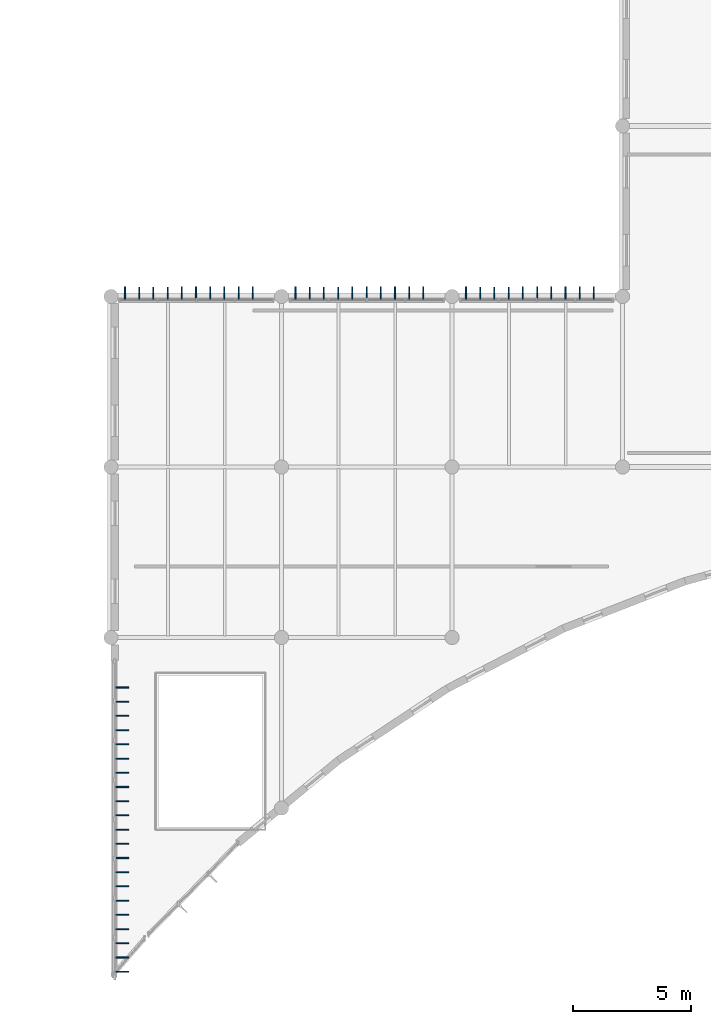
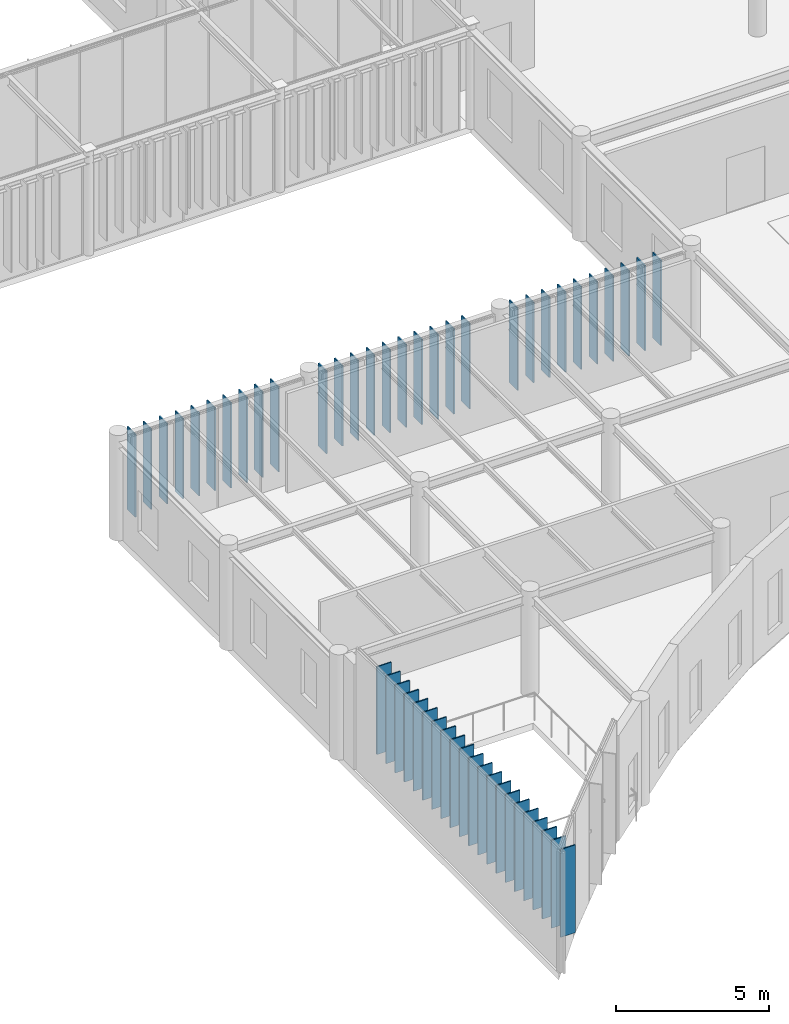
# One storey, part 17 of 104: 51 plates.
"""IFC4 building model written with IfcOpenShell, lengths in metres."""

from ifc_helpers import new_model, si_unit, direction, frame, origin, origin_2d, place, context, subcontext, project, spatial, rectangle, extrude, material, layer, layer_set, type_object, element, save


model = new_model("IFC4")

# Units and contexts
model_context = context("Model", 3, precision=1e-05, world=origin(), true_north=direction((0.0, 1.0)))
body_context = subcontext(model_context, "Body", "Model", "MODEL_VIEW")
ifc_project = project(units=[si_unit("LENGTHUNIT", "METRE"), si_unit("AREAUNIT", "SQUARE_METRE"), si_unit("VOLUMEUNIT", "CUBIC_METRE"), si_unit("PLANEANGLEUNIT", "RADIAN"), si_unit("MASSUNIT", "GRAM", prefix="KILO")], contexts=[model_context])

# Site, building, storey
site_placement = place(None, origin())
site = spatial("IfcSite", under=ifc_project, at=site_placement, CompositionType="ELEMENT")
building_placement = place(site_placement, origin())
building = spatial("IfcBuilding", under=site, at=building_placement, Name="Tazoul Stagehouse", CompositionType="ELEMENT")
storey_placement = place(building_placement, frame((0.0, 0.0, 9.0)))
storey = spatial("IfcBuildingStorey", under=building, at=storey_placement, Name="L02", CompositionType="ELEMENT", Elevation=9.0)

# Plates
ifc_material = material(Name="Anodised Bronze Aluminium 6063-T6", Category="aluminium")
ifc_layer_1 = layer(ifc_material, 0.52001953125, Name="Anodised Bronze Aluminium 6063-T6")
ifc_layer_set_1 = layer_set([ifc_layer_1], Name="Anodised Bronze Aluminium 6063-T6")
plate_type_1 = type_object("IfcPlateType", Name="Parametric Terracotta-Bronze Solar Fin 520x3200", PredefinedType="USERDEFINED", material=ifc_layer_set_1)
for number, where, z_axis, x_axis, name in (
    (1, (37.18994140625, 30.340087890625, 0.7099609375), (0.0, 0.0, 1.0), (1.0, 0.0, 0.0), "L02 Parametric Solar Fin SFN-18 (CW-V5-NRET-W-L02-B1-02)"),
    (2, (37.7900390625, 30.340087890625, 0.7099609375), (0.0, 0.0, 1.0), (1.0, 0.0, 0.0), "L02 Parametric Solar Fin SFN-18 (CW-V5-NRET-W-L02-B1-03)"),
    (3, (38.389892578125, 30.340087890625, 0.7099609375), (0.0, 0.0, 1.0), (1.0, 0.0, 0.0), "L02 Parametric Solar Fin SFN-18 (CW-V5-NRET-W-L02-B1-04)"),
    (4, (44.389892578125, 30.340087890625, 0.7099609375), (0.0, 0.0, 1.0), (1.0, 0.0, 0.0), "L02 Parametric Solar Fin SFN-18 (CW-V5-NRET-W-L02-B2-02)"),
    (5, (44.989990234375, 30.340087890625, 0.7099609375), (0.0, 0.0, 1.0), (1.0, 0.0, 0.0), "L02 Parametric Solar Fin SFN-18 (CW-V5-NRET-W-L02-B2-03)"),
    (6, (45.590087890625, 30.340087890625, 0.7099609375), (0.0, 0.0, 1.0), (1.0, 0.0, 0.0), "L02 Parametric Solar Fin SFN-18 (CW-V5-NRET-W-L02-B2-04)"),
    (7, (51.590087890625, 30.340087890625, 0.7099609375), (0.0, 0.0, 1.0), (1.0, 0.0, 0.0), "L02 Parametric Solar Fin SFN-18 (CW-V5-NRET-W-L02-B3-02)"),
    (8, (52.18994140625, 30.340087890625, 0.7099609375), (0.0, 0.0, 1.0), (1.0, 0.0, 0.0), "L02 Parametric Solar Fin SFN-18 (CW-V5-NRET-W-L02-B3-03)"),
    (9, (52.7900390625, 30.340087890625, 0.7099609375), (0.0, 0.0, 1.0), (1.0, 0.0, 0.0), "L02 Parametric Solar Fin SFN-18 (CW-V5-NRET-W-L02-B3-04)"),
):
    element("IfcPlate", number, at=place(storey_placement, frame(where, z_axis=z_axis, x_axis=x_axis)), inside=storey, type_object=plate_type_1, Name=name, ObjectType="SOLAR FIN", PredefinedType="USERDEFINED", context=body_context, shape_type="SweptSolid", body=[
        extrude(rectangle(XDim=0.044921875, YDim=0.52001953125, at=origin_2d()), origin(), (0.0, 0.0, 1.0), 3.199951171875),
    ])
ifc_layer_2 = layer(ifc_material, 0.530029296875, Name="Anodised Bronze Aluminium 6063-T6")
ifc_layer_set_2 = layer_set([ifc_layer_2], Name="Anodised Bronze Aluminium 6063-T6")
plate_type_2 = type_object("IfcPlateType", Name="Parametric Terracotta-Bronze Solar Fin 530x3300", PredefinedType="USERDEFINED", material=ifc_layer_set_2)
for number, where, z_axis, x_axis, name in (
    (10, (36.590087890625, 30.344970703125, 0.60986328125), (0.0, 0.0, 1.0), (1.0, 0.0, 0.0), "L02 Parametric Solar Fin SFN-19 (CW-V5-NRET-W-L02-B1-01)"),
    (11, (38.989990234375, 30.344970703125, 0.60986328125), (0.0, 0.0, 1.0), (1.0, 0.0, 0.0), "L02 Parametric Solar Fin SFN-19 (CW-V5-NRET-W-L02-B1-05)"),
    (12, (39.590087890625, 30.344970703125, 0.60986328125), (0.0, 0.0, 1.0), (1.0, 0.0, 0.0), "L02 Parametric Solar Fin SFN-19 (CW-V5-NRET-W-L02-B1-06)"),
    (13, (43.7900390625, 30.344970703125, 0.60986328125), (0.0, 0.0, 1.0), (1.0, 0.0, 0.0), "L02 Parametric Solar Fin SFN-19 (CW-V5-NRET-W-L02-B2-01)"),
    (14, (46.18994140625, 30.344970703125, 0.60986328125), (0.0, 0.0, 1.0), (1.0, 0.0, 0.0), "L02 Parametric Solar Fin SFN-19 (CW-V5-NRET-W-L02-B2-05)"),
    (15, (46.7900390625, 30.344970703125, 0.60986328125), (0.0, 0.0, 1.0), (1.0, 0.0, 0.0), "L02 Parametric Solar Fin SFN-19 (CW-V5-NRET-W-L02-B2-06)"),
    (16, (50.989990234375, 30.344970703125, 0.60986328125), (0.0, 0.0, 1.0), (1.0, 0.0, 0.0), "L02 Parametric Solar Fin SFN-19 (CW-V5-NRET-W-L02-B3-01)"),
    (17, (53.389892578125, 30.344970703125, 0.60986328125), (0.0, 0.0, 1.0), (1.0, 0.0, 0.0), "L02 Parametric Solar Fin SFN-19 (CW-V5-NRET-W-L02-B3-05)"),
    (18, (53.989990234375, 30.344970703125, 0.60986328125), (0.0, 0.0, 1.0), (1.0, 0.0, 0.0), "L02 Parametric Solar Fin SFN-19 (CW-V5-NRET-W-L02-B3-06)"),
):
    element("IfcPlate", number, at=place(storey_placement, frame(where, z_axis=z_axis, x_axis=x_axis)), inside=storey, type_object=plate_type_2, Name=name, ObjectType="SOLAR FIN", PredefinedType="USERDEFINED", context=body_context, shape_type="SweptSolid", body=[
        extrude(rectangle(XDim=0.044921875, YDim=0.530029296875, at=origin_2d()), origin(), (0.0, 0.0, 1.0), 3.300048828125),
    ])
ifc_layer_3 = layer(ifc_material, 0.5400390625, Name="Anodised Bronze Aluminium 6063-T6")
ifc_layer_set_3 = layer_set([ifc_layer_3], Name="Anodised Bronze Aluminium 6063-T6")
plate_type_3 = type_object("IfcPlateType", Name="Parametric Terracotta-Bronze Solar Fin 540x3400", PredefinedType="USERDEFINED", material=ifc_layer_set_3)
for number, where, z_axis, x_axis, name in (
    (19, (40.18994140625, 30.35009765625, 0.510009765625), (0.0, 0.0, 1.0), (1.0, 0.0, 0.0), "L02 Parametric Solar Fin SFN-20 (CW-V5-NRET-W-L02-B1-07)"),
    (20, (40.7900390625, 30.35009765625, 0.510009765625), (0.0, 0.0, 1.0), (1.0, 0.0, 0.0), "L02 Parametric Solar Fin SFN-20 (CW-V5-NRET-W-L02-B1-08)"),
    (21, (41.389892578125, 30.35009765625, 0.510009765625), (0.0, 0.0, 1.0), (1.0, 0.0, 0.0), "L02 Parametric Solar Fin SFN-20 (CW-V5-NRET-W-L02-B1-09)"),
    (22, (41.989990234375, 30.35009765625, 0.510009765625), (0.0, 0.0, 1.0), (1.0, 0.0, 0.0), "L02 Parametric Solar Fin SFN-20 (CW-V5-NRET-W-L02-B1-10)"),
    (23, (47.389892578125, 30.35009765625, 0.510009765625), (0.0, 0.0, 1.0), (1.0, 0.0, 0.0), "L02 Parametric Solar Fin SFN-20 (CW-V5-NRET-W-L02-B2-07)"),
    (24, (47.989990234375, 30.35009765625, 0.510009765625), (0.0, 0.0, 1.0), (1.0, 0.0, 0.0), "L02 Parametric Solar Fin SFN-20 (CW-V5-NRET-W-L02-B2-08)"),
    (25, (48.590087890625, 30.35009765625, 0.510009765625), (0.0, 0.0, 1.0), (1.0, 0.0, 0.0), "L02 Parametric Solar Fin SFN-20 (CW-V5-NRET-W-L02-B2-09)"),
    (26, (49.18994140625, 30.35009765625, 0.510009765625), (0.0, 0.0, 1.0), (1.0, 0.0, 0.0), "L02 Parametric Solar Fin SFN-20 (CW-V5-NRET-W-L02-B2-10)"),
    (27, (54.590087890625, 30.35009765625, 0.510009765625), (0.0, 0.0, 1.0), (1.0, 0.0, 0.0), "L02 Parametric Solar Fin SFN-20 (CW-V5-NRET-W-L02-B3-07)"),
    (28, (55.18994140625, 30.35009765625, 0.510009765625), (0.0, 0.0, 1.0), (1.0, 0.0, 0.0), "L02 Parametric Solar Fin SFN-20 (CW-V5-NRET-W-L02-B3-08)"),
    (29, (55.7900390625, 30.35009765625, 0.510009765625), (0.0, 0.0, 1.0), (1.0, 0.0, 0.0), "L02 Parametric Solar Fin SFN-20 (CW-V5-NRET-W-L02-B3-09)"),
    (30, (56.389892578125, 30.35009765625, 0.510009765625), (0.0, 0.0, 1.0), (1.0, 0.0, 0.0), "L02 Parametric Solar Fin SFN-20 (CW-V5-NRET-W-L02-B3-10)"),
):
    element("IfcPlate", number, at=place(storey_placement, frame(where, z_axis=z_axis, x_axis=x_axis)), inside=storey, type_object=plate_type_3, Name=name, ObjectType="SOLAR FIN", PredefinedType="USERDEFINED", context=body_context, shape_type="SweptSolid", body=[
        extrude(rectangle(XDim=0.044921875, YDim=0.5400390625, at=origin_2d()), origin(), (0.0, 0.0, 1.0), 3.39990234375),
    ])
ifc_layer_4 = layer(ifc_material, 0.550048828125, Name="Anodised Bronze Aluminium 6063-T6")
ifc_layer_set_4 = layer_set([ifc_layer_4], Name="Anodised Bronze Aluminium 6063-T6")
plate_type_4 = type_object("IfcPlateType", Name="Parametric Terracotta-Bronze Solar Fin 550x3500", PredefinedType="USERDEFINED", material=ifc_layer_set_4)
for number, where, z_axis, x_axis, name in (
    (31, (36.47509765625, 1.68994140625, 1.22998046875), (0.0, 0.0, 1.0), (0.0, 1.0, 0.0), "L02 Parametric Solar Fin SFN-21 (CW-V5-RET-W-L02-01)"),
    (32, (36.47509765625, 2.2900390625, 1.22998046875), (0.0, 0.0, 1.0), (0.0, 1.0, 0.0), "L02 Parametric Solar Fin SFN-21 (CW-V5-RET-W-L02-02)"),
    (33, (36.47509765625, 2.889892578125, 1.22998046875), (0.0, 0.0, 1.0), (0.0, 1.0, 0.0), "L02 Parametric Solar Fin SFN-21 (CW-V5-RET-W-L02-03)"),
    (34, (36.47509765625, 3.489990234375, 1.22998046875), (0.0, 0.0, 1.0), (0.0, 1.0, 0.0), "L02 Parametric Solar Fin SFN-21 (CW-V5-RET-W-L02-04)"),
    (35, (36.47509765625, 4.090087890625, 1.22998046875), (0.0, 0.0, 1.0), (0.0, 1.0, 0.0), "L02 Parametric Solar Fin SFN-21 (CW-V5-RET-W-L02-05)"),
    (36, (36.47509765625, 4.68994140625, 1.22998046875), (0.0, 0.0, 1.0), (0.0, 1.0, 0.0), "L02 Parametric Solar Fin SFN-21 (CW-V5-RET-W-L02-06)"),
    (37, (36.47509765625, 5.2900390625, 1.22998046875), (0.0, 0.0, 1.0), (0.0, 1.0, 0.0), "L02 Parametric Solar Fin SFN-21 (CW-V5-RET-W-L02-07)"),
    (38, (36.47509765625, 5.889892578125, 1.22998046875), (0.0, 0.0, 1.0), (0.0, 1.0, 0.0), "L02 Parametric Solar Fin SFN-21 (CW-V5-RET-W-L02-08)"),
    (39, (36.47509765625, 6.489990234375, 1.22998046875), (0.0, 0.0, 1.0), (0.0, 1.0, 0.0), "L02 Parametric Solar Fin SFN-21 (CW-V5-RET-W-L02-09)"),
    (40, (36.47509765625, 7.090087890625, 1.22998046875), (0.0, 0.0, 1.0), (0.0, 1.0, 0.0), "L02 Parametric Solar Fin SFN-21 (CW-V5-RET-W-L02-10)"),
    (41, (36.47509765625, 7.68994140625, 1.22998046875), (0.0, 0.0, 1.0), (0.0, 1.0, 0.0), "L02 Parametric Solar Fin SFN-21 (CW-V5-RET-W-L02-11)"),
    (42, (36.47509765625, 8.2900390625, 1.22998046875), (0.0, 0.0, 1.0), (0.0, 1.0, 0.0), "L02 Parametric Solar Fin SFN-21 (CW-V5-RET-W-L02-12)"),
    (43, (36.47509765625, 8.889892578125, 1.22998046875), (0.0, 0.0, 1.0), (0.0, 1.0, 0.0), "L02 Parametric Solar Fin SFN-21 (CW-V5-RET-W-L02-13)"),
    (44, (36.47509765625, 9.489990234375, 1.22998046875), (0.0, 0.0, 1.0), (0.0, 1.0, 0.0), "L02 Parametric Solar Fin SFN-21 (CW-V5-RET-W-L02-14)"),
    (45, (36.47509765625, 10.090087890625, 1.22998046875), (0.0, 0.0, 1.0), (0.0, 1.0, 0.0), "L02 Parametric Solar Fin SFN-21 (CW-V5-RET-W-L02-15)"),
    (46, (36.47509765625, 10.68994140625, 1.22998046875), (0.0, 0.0, 1.0), (0.0, 1.0, 0.0), "L02 Parametric Solar Fin SFN-21 (CW-V5-RET-W-L02-16)"),
    (47, (36.47509765625, 11.2900390625, 1.22998046875), (0.0, 0.0, 1.0), (0.0, 1.0, 0.0), "L02 Parametric Solar Fin SFN-21 (CW-V5-RET-W-L02-17)"),
    (48, (36.47509765625, 11.889892578125, 1.22998046875), (0.0, 0.0, 1.0), (0.0, 1.0, 0.0), "L02 Parametric Solar Fin SFN-21 (CW-V5-RET-W-L02-18)"),
    (49, (36.47509765625, 12.489990234375, 1.22998046875), (0.0, 0.0, 1.0), (0.0, 1.0, 0.0), "L02 Parametric Solar Fin SFN-21 (CW-V5-RET-W-L02-19)"),
    (50, (36.47509765625, 13.090087890625, 1.22998046875), (0.0, 0.0, 1.0), (0.0, 1.0, 0.0), "L02 Parametric Solar Fin SFN-21 (CW-V5-RET-W-L02-20)"),
    (51, (36.47509765625, 13.68994140625, 1.22998046875), (0.0, 0.0, 1.0), (0.0, 1.0, 0.0), "L02 Parametric Solar Fin SFN-21 (CW-V5-RET-W-L02-21)"),
):
    element("IfcPlate", number, at=place(storey_placement, frame(where, z_axis=z_axis, x_axis=x_axis)), inside=storey, type_object=plate_type_4, Name=name, ObjectType="SOLAR FIN", PredefinedType="USERDEFINED", context=body_context, shape_type="SweptSolid", body=[
        extrude(rectangle(XDim=0.044921875, YDim=0.550048828125, at=origin_2d()), origin(), (0.0, 0.0, 1.0), 3.5),
    ])

save(model, "model.ifc")
